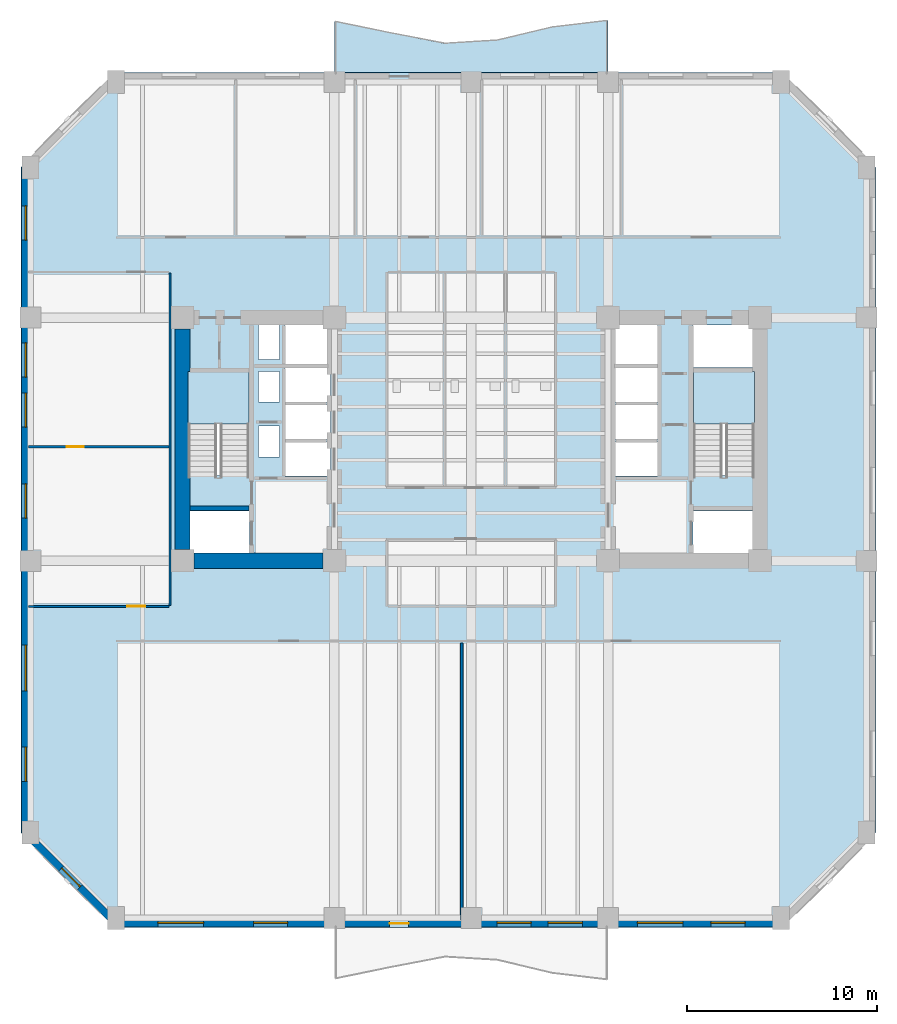
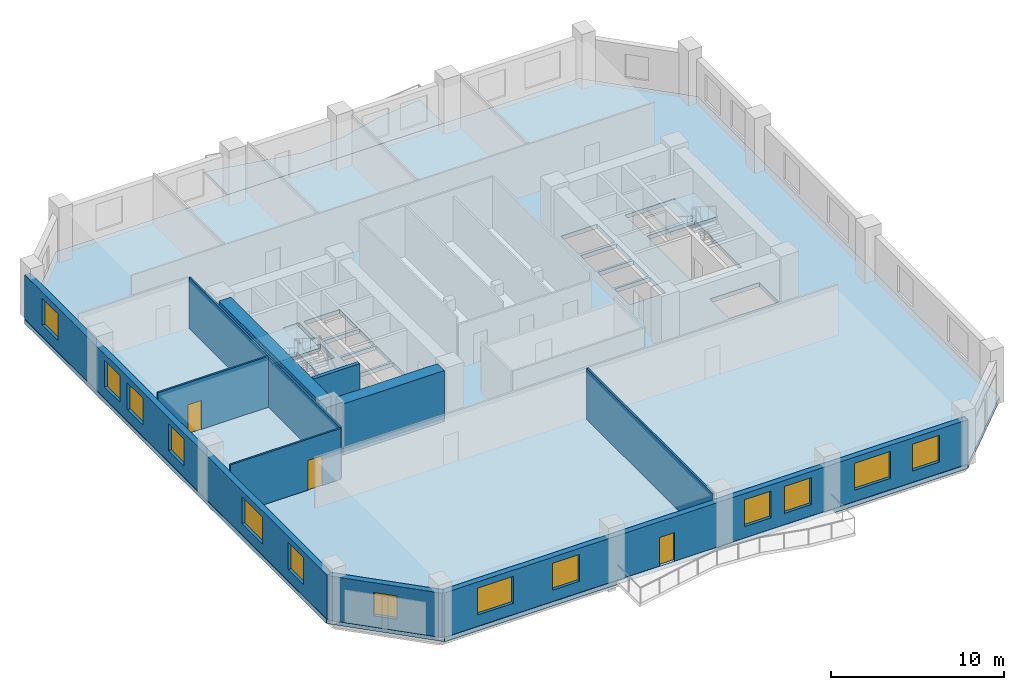
# One storey, part 2 of 10: 13 windows, 10 walls, 4 slabs, 3 doors, 16 openings, 2 elements without a shape of their own.
"""IFC4 building model written with IfcOpenShell, lengths in metres."""

import ifcopenshell
import ifcopenshell.guid

model = None  # the IFC model being written
_history = None  # IfcOwnerHistory: only IFC2X3 demands one
_inside = {}  # id of a spatial element -> (the spatial element, [elements in it])
_under = {}  # id of a project, library or spatial element -> (it, [spatial elements below it])
_declared = {}  # id of a project -> (the project, [libraries it declares])
_typed = {}  # id of a type object -> (the type object, [elements of that type])
_made_of = {}  # id of a material, layer set ... -> (it, [elements and type objects made of it])


def new_model(schema):
    """Start an empty IFC model of exactly this schema.

    Asked for "IFC4X3", IfcOpenShell would pick the latest addendum, in which some entities
    have other attributes; the version numbers below select the first issue.
    IFC2X3 requires an IfcOwnerHistory on every rooted entity: one is made here for all.
    """
    global model, _history
    if schema == "IFC4X3":
        model = ifcopenshell.file(schema_version=(4, 3, 0, 0))
    else:
        model = ifcopenshell.file(schema=schema)
    _inside.clear()
    _under.clear()
    _declared.clear()
    _typed.clear()
    _made_of.clear()
    _history = None
    if model.schema == "IFC2X3":
        org = make("IfcOrganization", Name="unknown")
        user = make(
            "IfcPersonAndOrganization",
            ThePerson=make("IfcPerson", FamilyName="unknown"),
            TheOrganization=org,
        )
        app = make(
            "IfcApplication",
            ApplicationDeveloper=org,
            Version="unknown",
            ApplicationFullName="unknown",
            ApplicationIdentifier="unknown",
        )
        _history = make(
            "IfcOwnerHistory",
            OwningUser=user,
            OwningApplication=app,
            ChangeAction="ADDED",
            CreationDate=0,
        )
    return model


def make(cls, **values):
    """One entity of the class cls with the attributes given. An attribute that is None is left unset."""
    return model.create_entity(
        cls, **{name: value for name, value in values.items() if value is not None}
    )


def rooted(cls, **values):
    """An entity with a GlobalId (a new one), such as an element, a storey or a relation."""
    return make(cls, GlobalId=ifcopenshell.guid.new(), OwnerHistory=_history, **values)


def si_unit(unit_type, name, prefix=None):
    """IfcSIUnit, for example si_unit("LENGTHUNIT", "METRE", prefix="MILLI")."""
    return make("IfcSIUnit", UnitType=unit_type, Prefix=prefix, Name=name)


def assignment(units):
    """IfcUnitAssignment: the units of a project."""
    return None if units is None else make("IfcUnitAssignment", Units=units)


def point(xyz):
    """IfcCartesianPoint."""
    return None if xyz is None else make("IfcCartesianPoint", Coordinates=xyz)


def direction(xyz):
    """IfcDirection."""
    return None if xyz is None else make("IfcDirection", DirectionRatios=xyz)


def frame(location, z_axis=None, x_axis=None):
    """IfcAxis2Placement3D, a coordinate frame: its origin and axes. An axis left out is left unset."""
    return make(
        "IfcAxis2Placement3D",
        Location=point(location),
        Axis=direction(z_axis),
        RefDirection=direction(x_axis),
    )


def frame_2d(location, x_axis=None):
    """IfcAxis2Placement2D, a coordinate frame in the plane: its origin and x axis."""
    return make(
        "IfcAxis2Placement2D", Location=point(location), RefDirection=direction(x_axis)
    )


def origin():
    """The frame at (0, 0, 0) with its axes left unset."""
    return frame((0.0, 0.0, 0.0))


def place(relative_to, where):
    """IfcLocalPlacement: puts the frame where relative to a parent placement (None: the world)."""
    return make(
        "IfcLocalPlacement", PlacementRelTo=relative_to, RelativePlacement=where
    )


def context(
    kind, dimensions, precision=None, world=None, true_north=None, identifier=None
):
    """IfcGeometricRepresentationContext, for example the 3D "Model" context."""
    return make(
        "IfcGeometricRepresentationContext",
        ContextIdentifier=identifier,
        ContextType=kind,
        CoordinateSpaceDimension=dimensions,
        Precision=precision,
        WorldCoordinateSystem=world,
        TrueNorth=true_north,
    )


def subcontext(parent, identifier, kind, view, scale=None):
    """IfcGeometricRepresentationSubContext, for example "Body" below "Model"."""
    return make(
        "IfcGeometricRepresentationSubContext",
        ContextIdentifier=identifier,
        ContextType=kind,
        ParentContext=parent,
        TargetScale=scale,
        TargetView=view,
    )


def project(units=None, contexts=None):
    """IfcProject with its units and contexts."""
    return rooted(
        "IfcProject",
        Name="project",
        RepresentationContexts=contexts,
        UnitsInContext=assignment(units),
    )


def spatial(cls, under=None, at=None, **own):
    """A site, building, storey or space (cls), placed at a placement, below another one or the project."""
    s = rooted(cls, ObjectPlacement=at, **own)
    if under is not None:
        _under.setdefault(under.id(), (under, []))[1].append(s)
    return s


def polyline(points):
    """IfcPolyline through the points."""
    return make("IfcPolyline", Points=[point(p) for p in points])


def profile(cls, at=None, kind="AREA", **sizes):
    """A parametric profile (cls). Its sizes go by their IFC names, for example OverallWidth=200.0."""
    return make(cls, ProfileType=kind, Position=at, **sizes)


def rectangle(**sizes):
    """IfcRectangleProfileDef."""
    return profile("IfcRectangleProfileDef", **sizes)


def outline(outer, holes=None, kind="AREA"):
    """IfcArbitraryClosedProfileDef: a profile drawn as a closed curve; with holes, ...WithVoids."""
    if holes is None:
        return make("IfcArbitraryClosedProfileDef", ProfileType=kind, OuterCurve=outer)
    return make(
        "IfcArbitraryProfileDefWithVoids",
        ProfileType=kind,
        OuterCurve=outer,
        InnerCurves=holes,
    )


def extrude(swept, where, along, depth):
    """IfcExtrudedAreaSolid: the profile swept, set in the frame where, extruded along a direction by depth."""
    return make(
        "IfcExtrudedAreaSolid",
        SweptArea=swept,
        Position=where,
        ExtrudedDirection=direction(along),
        Depth=depth,
    )


def shape(context_of_items, identifier, shape_type, items):
    """IfcShapeRepresentation: the items that make up one representation, for example the "Body"."""
    return make(
        "IfcShapeRepresentation",
        ContextOfItems=context_of_items,
        RepresentationIdentifier=identifier,
        RepresentationType=shape_type,
        Items=items,
    )


def material(Name=None, Category=None):
    """IfcMaterial."""
    return make("IfcMaterial", Name=Name, Category=Category)


def layer(
    of_material, thickness, ventilated=None, Name=None, Category=None, Priority=None
):
    """IfcMaterialLayer: one layer of a wall or slab, of a material (None: an air gap)."""
    return make(
        "IfcMaterialLayer",
        Material=of_material,
        LayerThickness=thickness,
        IsVentilated=ventilated,
        Name=Name,
        Category=Category,
        Priority=Priority,
    )


def layer_set(layers, Name=None):
    """IfcMaterialLayerSet."""
    return make("IfcMaterialLayerSet", MaterialLayers=layers, LayerSetName=Name)


def made_of(thing, what):
    """Note that an element or type object is made of a material, layer set ...; save() writes the relation."""
    if what is not None:
        _made_of.setdefault(what.id(), (what, []))[1].append(thing)
    return thing


def type_object(cls, material=None, **own):
    """A type object (cls), such as IfcWallType, which elements share."""
    return made_of(rooted(cls, **own), material)


def element(
    cls,
    number,
    at=None,
    inside=None,
    cuts=None,
    type_object=None,
    material=None,
    context=None,
    identifier="Body",
    shape_type=None,
    held_by="IfcProductDefinitionShape",
    body=None,
    shapes=None,
    **own,
):
    """One element of the class cls, such as IfcWall. Its Tag is "e" and its number.

    at: its placement. inside: the storey or other place that contains it. cuts: it is an
    opening in that element (IfcRelVoidsElement). A single representation is given by context,
    identifier, shape_type and body (its items); several are given by shapes. held_by: the class
    of the entity that holds the representations. save() writes the other relations.
    """
    e = rooted(cls, Tag="e%d" % number, ObjectPlacement=at, **own)
    if body is not None:
        shapes = [shape(context, identifier, shape_type, body)]
    if shapes is not None:
        e.Representation = make(held_by, Representations=shapes)
    if inside is not None:
        _inside.setdefault(inside.id(), (inside, []))[1].append(e)
    if cuts is not None:
        rooted(
            "IfcRelVoidsElement", RelatingBuildingElement=cuts, RelatedOpeningElement=e
        )
    if type_object is not None:
        _typed.setdefault(type_object.id(), (type_object, []))[1].append(e)
    return made_of(e, material)


def fill(opening, filler):
    """IfcRelFillsElement: the door or window that sits in an opening."""
    return rooted(
        "IfcRelFillsElement",
        RelatingOpeningElement=opening,
        RelatedBuildingElement=filler,
    )


def aggregate(whole, parts):
    """IfcRelAggregates: a whole, such as a stair, and the parts it consists of."""
    return rooted("IfcRelAggregates", RelatingObject=whole, RelatedObjects=parts)


def save(model, path):
    """Write the relations noted so far, then the file.

    IfcRelAggregates (storeys below a building ...), IfcRelContainedInSpatialStructure (elements
    in a storey), IfcRelDefinesByType, IfcRelAssociatesMaterial and IfcRelDeclares: one each for
    every whole, place, type object, material and project.
    """
    for whole, parts in _under.values():
        aggregate(whole, parts)
    for where, things in _inside.values():
        rooted(
            "IfcRelContainedInSpatialStructure",
            RelatedElements=things,
            RelatingStructure=where,
        )
    for kind, things in _typed.values():
        rooted("IfcRelDefinesByType", RelatedObjects=things, RelatingType=kind)
    for what, things in _made_of.values():
        rooted("IfcRelAssociatesMaterial", RelatedObjects=things, RelatingMaterial=what)
    for by, libraries in _declared.values():
        rooted("IfcRelDeclares", RelatingContext=by, RelatedDefinitions=libraries)
    model.write(path)


model = new_model("IFC4")

# Units and contexts
model_context = context("Model", 3, precision=1e-05, world=origin(), true_north=direction((0.0, 1.0)))
body_context = subcontext(model_context, "Body", "Model", "MODEL_VIEW")
ifc_project = project(units=[si_unit("LENGTHUNIT", "METRE"), si_unit("AREAUNIT", "SQUARE_METRE"), si_unit("VOLUMEUNIT", "CUBIC_METRE"), si_unit("PLANEANGLEUNIT", "RADIAN"), si_unit("MASSUNIT", "GRAM", prefix="KILO")], contexts=[model_context])

# Site, building, storey
site_placement = place(None, origin())
site = spatial("IfcSite", under=ifc_project, at=site_placement, CompositionType="ELEMENT")
building_placement = place(site_placement, origin())
building = spatial("IfcBuilding", under=site, at=building_placement, Name="Kranthara Brick Stack", CompositionType="ELEMENT")
storey_placement = place(building_placement, frame((0.0, 0.0, 32.10009765625)))
storey = spatial("IfcBuildingStorey", under=building, at=storey_placement, Name="L07", CompositionType="ELEMENT", Elevation=32.10009765625)

# Slab
ifc_material_1 = material(Name="Concrete C45/55", Category="concrete")
ifc_layer_1 = layer(ifc_material_1, 0.219970703125)
ifc_layer_set_1 = layer_set([ifc_layer_1], Name="Concrete C45/55")
slab_type_1 = type_object("IfcSlabType", Name="SLB-BALC-220", PredefinedType="FLOOR", material=ifc_layer_set_1)
slab_1_placement = place(storey_placement, frame((0.0, 0.0, -0.22021484375)))
element("IfcSlab", 1, at=slab_1_placement, inside=storey, type_object=slab_type_1, Name="L07 North Rippling Balcony Slab", PredefinedType="FLOOR", context=body_context, shape_type="SweptSolid", body=[
    extrude(outline(polyline([(35.199951171875, 46.5), (20.800048828125, 46.5), (20.800048828125, 49.196044921875), (23.679931640625, 48.600830078125), (26.56005859375, 48.0361328125), (29.43994140625, 48.2119140625), (32.320068359375, 48.9072265625), (35.199951171875, 49.24755859375), (35.199951171875, 46.5)])), origin(), (0.0, 0.0, 1.0), 0.22021484375),
])

# Stair, slab
ifc_material_2 = material(Name="Concrete C45/55", Category="concrete")
stair_type = type_object("IfcStairType", Name="ST-CORE-22R", PredefinedType="HALF_TURN_STAIR", material=ifc_material_2)
stair_1_placement = place(storey_placement, origin())
stair_1 = element("IfcStair", 2, at=stair_1_placement, inside=storey, type_object=stair_type, Name="L07 West Core Protected Exit Stair ST01", PredefinedType="HALF_TURN_STAIR")
ifc_material_3 = material(Name="Concrete C45/55", Category="concrete")
ifc_layer_2 = layer(ifc_material_3, 0.199951171875)
ifc_layer_set_2 = layer_set([ifc_layer_2], Name="Concrete C45/55")
slab_type_2 = type_object("IfcSlabType", Name="SLB-LANDING-200", PredefinedType="LANDING", material=ifc_layer_set_2)
slab_2_placement = place(storey_placement, frame((0.0, 0.0, 1.75)))
slab_2 = element("IfcSlab", 3, at=slab_2_placement, type_object=slab_type_2, Name="ST01 landing 1", PredefinedType="LANDING", context=body_context, shape_type="SweptSolid", body=[
    extrude(outline(polyline([(16.300048828125, 28.0), (16.300048828125, 30.75), (13.10009765625, 30.75), (13.10009765625, 28.0), (16.300048828125, 28.0)])), origin(), (0.0, 0.0, 1.0), 0.199951171875),
])
aggregate(stair_1, [slab_2])

stair_2_placement = place(storey_placement, origin())
stair_2 = element("IfcStair", 4, at=stair_2_placement, inside=storey, type_object=stair_type, Name="L07 East Core Protected Exit Stair ST02", PredefinedType="HALF_TURN_STAIR")
slab_3_placement = place(storey_placement, frame((0.0, 0.0, 1.75)))
slab_3 = element("IfcSlab", 5, at=slab_3_placement, type_object=slab_type_2, Name="ST02 landing 1", PredefinedType="LANDING", context=body_context, shape_type="SweptSolid", body=[
    extrude(outline(polyline([(42.89990234375, 28.0), (42.89990234375, 30.75), (39.699951171875, 30.75), (39.699951171875, 28.0), (42.89990234375, 28.0)])), origin(), (0.0, 0.0, 1.0), 0.199951171875),
])
aggregate(stair_2, [slab_3])

# Slab
ifc_material_4 = material(Name="Post-tensioned concrete C45/55", Category="concrete")
ifc_layer_3 = layer(ifc_material_4, 0.300048828125)
ifc_layer_set_3 = layer_set([ifc_layer_3], Name="Post-tensioned concrete C45/55")
slab_type_3 = type_object("IfcSlabType", Name="SLB-TWR-300", PredefinedType="FLOOR", material=ifc_layer_set_3)
slab_4_placement = place(storey_placement, frame((0.0, 0.0, -0.300048828125)))
element("IfcSlab", 6, at=slab_4_placement, inside=storey, type_object=slab_type_3, Name="L07 Structural Floor Plate", PredefinedType="FLOOR", context=body_context, shape_type="SweptSolid", body=[
    extrude(outline(polyline([(9.300048828125, 1.5), (44.300048828125, 1.5), (49.300048828125, 6.5), (49.300048828125, 41.5), (44.300048828125, 46.5), (9.300048828125, 46.5), (4.300048828125, 41.5), (4.300048828125, 6.5), (9.300048828125, 1.5)]), holes=[polyline([(13.10009765625, 25.280029296875), (16.300048828125, 25.280029296875), (16.300048828125, 30.75), (13.10009765625, 30.75), (13.10009765625, 25.280029296875)]), polyline([(39.699951171875, 25.280029296875), (42.89990234375, 25.280029296875), (42.89990234375, 30.75), (39.699951171875, 30.75), (39.699951171875, 25.280029296875)]), polyline([(13.0, 21.179931640625), (16.320068359375, 21.179931640625), (16.320068359375, 23.419921875), (13.0, 23.419921875), (13.0, 21.179931640625)]), polyline([(39.679931640625, 21.179931640625), (43.0, 21.179931640625), (43.0, 23.419921875), (39.679931640625, 23.419921875), (39.679931640625, 21.179931640625)]), polyline([(39.679931640625, 30.97998046875), (43.0, 30.97998046875), (43.0, 33.219970703125), (39.679931640625, 33.219970703125), (39.679931640625, 30.97998046875)]), polyline([(18.199951171875, 25.25), (20.60009765625, 25.25), (20.60009765625, 27.050048828125), (18.199951171875, 27.050048828125), (18.199951171875, 25.25)]), polyline([(18.199951171875, 27.199951171875), (20.60009765625, 27.199951171875), (20.60009765625, 29.0), (18.199951171875, 29.0), (18.199951171875, 27.199951171875)]), polyline([(18.199951171875, 29.14990234375), (20.60009765625, 29.14990234375), (20.60009765625, 30.949951171875), (18.199951171875, 30.949951171875), (18.199951171875, 29.14990234375)]), polyline([(35.39990234375, 25.25), (37.800048828125, 25.25), (37.800048828125, 27.050048828125), (35.39990234375, 27.050048828125), (35.39990234375, 25.25)]), polyline([(35.39990234375, 27.199951171875), (37.800048828125, 27.199951171875), (37.800048828125, 29.0), (35.39990234375, 29.0), (35.39990234375, 27.199951171875)]), polyline([(35.39990234375, 29.14990234375), (37.800048828125, 29.14990234375), (37.800048828125, 30.949951171875), (35.39990234375, 30.949951171875), (35.39990234375, 29.14990234375)]), polyline([(18.199951171875, 31.14990234375), (20.60009765625, 31.14990234375), (20.60009765625, 33.219970703125), (18.199951171875, 33.219970703125), (18.199951171875, 31.14990234375)]), polyline([(35.39990234375, 31.14990234375), (37.800048828125, 31.14990234375), (37.800048828125, 33.219970703125), (35.39990234375, 33.219970703125), (35.39990234375, 31.14990234375)]), polyline([(16.800048828125, 26.25), (17.89990234375, 26.25), (17.89990234375, 27.89990234375), (16.800048828125, 27.89990234375), (16.800048828125, 26.25)]), polyline([(16.800048828125, 29.14990234375), (17.89990234375, 29.14990234375), (17.89990234375, 30.75), (16.800048828125, 30.75), (16.800048828125, 29.14990234375)]), polyline([(16.800048828125, 31.39990234375), (17.89990234375, 31.39990234375), (17.89990234375, 33.25), (16.800048828125, 33.25), (16.800048828125, 31.39990234375)])]), origin(), (0.0, 0.0, 1.0), 0.300048828125),
])

# Wall, openings, door, windows
ifc_material_5 = material(Name="Kiln-fired clay brick masonry M15", Category="masonry")
ifc_layer_4 = layer(ifc_material_5, 0.3798828125)
ifc_layer_set_4 = layer_set([ifc_layer_4], Name="Kiln-fired clay brick masonry M15")
wall_type_1 = type_object("IfcWallType", Name="WL-BRK-PIER-380", PredefinedType="STANDARD", material=ifc_layer_set_4)
wall_1_placement = place(storey_placement, frame((44.300048828125, 1.7099609375, 0.0), z_axis=(0.0, 0.0, 1.0), x_axis=(-1.0, 0.0, 0.0)))
wall_1 = element("IfcWall", 7, at=wall_1_placement, inside=storey, type_object=wall_type_1, Name="L07 Exterior Brick Facade Wall SOUTH 1", PredefinedType="STANDARD", context=body_context, shape_type="SweptSolid", body=[
    extrude(rectangle(XDim=35.0, YDim=0.3798828125, at=frame_2d((17.5, 0.0))), origin(), (0.0, 0.0, 1.0), 3.135009765625),
])
opening_1_placement = place(wall_1_placement, frame((19.60009765625, 0.0, 0.0)))
opening_1 = element("IfcOpeningElement", 8, at=opening_1_placement, cuts=wall_1, Name="Opening D03", PredefinedType="OPENING", context=body_context, shape_type="SweptSolid", body=[
    extrude(rectangle(XDim=1.0, YDim=2.02001953125, at=frame_2d((0.5, 1.010009765625))), frame((0.0, 0.199951171875, 0.0), z_axis=(0.0, -1.0, 0.0), x_axis=(1.0, 0.0, 0.0)), (0.0, 0.0, 1.0), 0.39990234375),
])
opening_2_placement = place(wall_1_placement, frame((1.886962890625, 0.0, 0.800048828125)))
opening_2 = element("IfcOpeningElement", 9, at=opening_2_placement, cuts=wall_1, Name="Opening WN01", PredefinedType="OPENING", context=body_context, shape_type="SweptSolid", body=[
    extrude(rectangle(XDim=1.800048828125, YDim=1.89990234375, at=frame_2d((0.89990234375, 0.949951171875))), frame((0.0, 0.199951171875, 0.0), z_axis=(0.0, -1.0, 0.0), x_axis=(1.0, 0.0, 0.0)), (0.0, 0.0, 1.0), 0.39990234375),
])
opening_3_placement = place(wall_1_placement, frame((5.1630859375, 0.0, 0.800048828125)))
opening_3 = element("IfcOpeningElement", 10, at=opening_3_placement, cuts=wall_1, Name="Opening WN02", PredefinedType="OPENING", context=body_context, shape_type="SweptSolid", body=[
    extrude(rectangle(XDim=2.39990234375, YDim=1.89990234375, at=frame_2d((1.199951171875, 0.949951171875))), frame((0.0, 0.199951171875, 0.0), z_axis=(0.0, -1.0, 0.0), x_axis=(1.0, 0.0, 0.0)), (0.0, 0.0, 1.0), 0.39990234375),
])
opening_4_placement = place(wall_1_placement, frame((10.4560546875, 0.0, 0.800048828125)))
opening_4 = element("IfcOpeningElement", 11, at=opening_4_placement, cuts=wall_1, Name="Opening WN01", PredefinedType="OPENING", context=body_context, shape_type="SweptSolid", body=[
    extrude(rectangle(XDim=1.800048828125, YDim=1.89990234375, at=frame_2d((0.89990234375, 0.949951171875))), frame((0.0, 0.199951171875, 0.0), z_axis=(0.0, -1.0, 0.0), x_axis=(1.0, 0.0, 0.0)), (0.0, 0.0, 1.0), 0.39990234375),
])
opening_5_placement = place(wall_1_placement, frame((13.14404296875, 0.0, 0.800048828125)))
opening_5 = element("IfcOpeningElement", 12, at=opening_5_placement, cuts=wall_1, Name="Opening WN01", PredefinedType="OPENING", context=body_context, shape_type="SweptSolid", body=[
    extrude(rectangle(XDim=1.800048828125, YDim=1.89990234375, at=frame_2d((0.89990234375, 0.949951171875))), frame((0.0, 0.199951171875, 0.0), z_axis=(0.0, -1.0, 0.0), x_axis=(1.0, 0.0, 0.0)), (0.0, 0.0, 1.0), 0.39990234375),
])
opening_6_placement = place(wall_1_placement, frame((25.9609375, 0.0, 0.800048828125)))
opening_6 = element("IfcOpeningElement", 13, at=opening_6_placement, cuts=wall_1, Name="Opening WN01", PredefinedType="OPENING", context=body_context, shape_type="SweptSolid", body=[
    extrude(rectangle(XDim=1.800048828125, YDim=1.89990234375, at=frame_2d((0.89990234375, 0.949951171875))), frame((0.0, 0.199951171875, 0.0), z_axis=(0.0, -1.0, 0.0), x_axis=(1.0, 0.0, 0.0)), (0.0, 0.0, 1.0), 0.39990234375),
])
opening_7_placement = place(wall_1_placement, frame((30.388916015625, 0.0, 0.800048828125)))
opening_7 = element("IfcOpeningElement", 14, at=opening_7_placement, cuts=wall_1, Name="Opening WN02", PredefinedType="OPENING", context=body_context, shape_type="SweptSolid", body=[
    extrude(rectangle(XDim=2.39990234375, YDim=1.89990234375, at=frame_2d((1.199951171875, 0.949951171875))), frame((0.0, 0.199951171875, 0.0), z_axis=(0.0, -1.0, 0.0), x_axis=(1.0, 0.0, 0.0)), (0.0, 0.0, 1.0), 0.39990234375),
])
ifc_material_6 = material(Name="Bronze anodised aluminium and laminated glass", Category="aluminium")
door_type_1 = type_object("IfcDoorType", Name="DR-BALC-1000", OperationType="NOTDEFINED", PredefinedType="DOOR", material=ifc_material_6)
door_1_placement = place(opening_1_placement, origin())
door_1 = element("IfcDoor", 15, at=door_1_placement, inside=storey, type_object=door_type_1, Name="L07 South Balcony Terrace Door", OperationType="SINGLE_SWING_LEFT", OverallHeight=2.02001953125, OverallWidth=1.0, PredefinedType="DOOR", context=body_context, shape_type="SweptSolid", body=[
    extrude(rectangle(XDim=1.0, YDim=2.02001953125, at=frame_2d((0.5, 1.010009765625))), frame((0.0, 0.02490234375, 0.0), z_axis=(0.0, -1.0, 0.0), x_axis=(1.0, 0.0, 0.0)), (0.0, 0.0, 1.0), 0.050048828125),
])
fill(opening_1, door_1)
ifc_material_7 = material(Name="Double-glazed low-E solar control glass", Category="glass")
window_type_1 = type_object("IfcWindowType", Name="WN-OFF-1800x2000", PartitioningType="SINGLE_PANEL", PredefinedType="WINDOW", material=ifc_material_7)
window_1_placement = place(opening_2_placement, origin())
window_1 = element("IfcWindow", 16, at=window_1_placement, inside=storey, type_object=window_type_1, Name="L07 South Deep-Set Brick Window 01", OverallHeight=1.89990234375, OverallWidth=1.800048828125, PartitioningType="SINGLE_PANEL", PredefinedType="WINDOW", context=body_context, shape_type="SweptSolid", body=[
    extrude(rectangle(XDim=1.800048828125, YDim=1.89990234375, at=frame_2d((0.89990234375, 0.949951171875))), frame((0.0, -0.010009765625, 0.0), z_axis=(0.0, -1.0, 0.0), x_axis=(1.0, 0.0, 0.0)), (0.0, 0.0, 1.0), 0.06005859375),
])
fill(opening_2, window_1)
window_2_placement = place(opening_4_placement, origin())
window_2 = element("IfcWindow", 17, at=window_2_placement, inside=storey, type_object=window_type_1, Name="L07 South Deep-Set Brick Window 03", OverallHeight=1.89990234375, OverallWidth=1.800048828125, PartitioningType="SINGLE_PANEL", PredefinedType="WINDOW", context=body_context, shape_type="SweptSolid", body=[
    extrude(rectangle(XDim=1.800048828125, YDim=1.89990234375, at=frame_2d((0.89990234375, 0.949951171875))), frame((0.0, -0.010009765625, 0.0), z_axis=(0.0, -1.0, 0.0), x_axis=(1.0, 0.0, 0.0)), (0.0, 0.0, 1.0), 0.06005859375),
])
fill(opening_4, window_2)
window_3_placement = place(opening_5_placement, origin())
window_3 = element("IfcWindow", 18, at=window_3_placement, inside=storey, type_object=window_type_1, Name="L07 South Deep-Set Brick Window 04", OverallHeight=1.89990234375, OverallWidth=1.800048828125, PartitioningType="SINGLE_PANEL", PredefinedType="WINDOW", context=body_context, shape_type="SweptSolid", body=[
    extrude(rectangle(XDim=1.800048828125, YDim=1.89990234375, at=frame_2d((0.89990234375, 0.949951171875))), frame((0.0, -0.010009765625, 0.0), z_axis=(0.0, -1.0, 0.0), x_axis=(1.0, 0.0, 0.0)), (0.0, 0.0, 1.0), 0.06005859375),
])
fill(opening_5, window_3)
window_4_placement = place(opening_6_placement, origin())
window_4 = element("IfcWindow", 19, at=window_4_placement, inside=storey, type_object=window_type_1, Name="L07 South Deep-Set Brick Window 05", OverallHeight=1.89990234375, OverallWidth=1.800048828125, PartitioningType="SINGLE_PANEL", PredefinedType="WINDOW", context=body_context, shape_type="SweptSolid", body=[
    extrude(rectangle(XDim=1.800048828125, YDim=1.89990234375, at=frame_2d((0.89990234375, 0.949951171875))), frame((0.0, -0.010009765625, 0.0), z_axis=(0.0, -1.0, 0.0), x_axis=(1.0, 0.0, 0.0)), (0.0, 0.0, 1.0), 0.06005859375),
])
fill(opening_6, window_4)
ifc_material_8 = material(Name="Double-glazed low-E solar control glass", Category="glass")
window_type_2 = type_object("IfcWindowType", Name="WN-OFF-2400x2000", PartitioningType="DOUBLE_PANEL_VERTICAL", PredefinedType="WINDOW", material=ifc_material_8)
window_5_placement = place(opening_3_placement, origin())
window_5 = element("IfcWindow", 20, at=window_5_placement, inside=storey, type_object=window_type_2, Name="L07 South Deep-Set Brick Window 02", OverallHeight=1.89990234375, OverallWidth=2.39990234375, PartitioningType="SINGLE_PANEL", PredefinedType="WINDOW", context=body_context, shape_type="SweptSolid", body=[
    extrude(rectangle(XDim=2.39990234375, YDim=1.89990234375, at=frame_2d((1.199951171875, 0.949951171875))), frame((0.0, -0.010009765625, 0.0), z_axis=(0.0, -1.0, 0.0), x_axis=(1.0, 0.0, 0.0)), (0.0, 0.0, 1.0), 0.06005859375),
])
fill(opening_3, window_5)
window_6_placement = place(opening_7_placement, origin())
window_6 = element("IfcWindow", 21, at=window_6_placement, inside=storey, type_object=window_type_2, Name="L07 South Deep-Set Brick Window 06", OverallHeight=1.89990234375, OverallWidth=2.39990234375, PartitioningType="SINGLE_PANEL", PredefinedType="WINDOW", context=body_context, shape_type="SweptSolid", body=[
    extrude(rectangle(XDim=2.39990234375, YDim=1.89990234375, at=frame_2d((1.199951171875, 0.949951171875))), frame((0.0, -0.010009765625, 0.0), z_axis=(0.0, -1.0, 0.0), x_axis=(1.0, 0.0, 0.0)), (0.0, 0.0, 1.0), 0.06005859375),
])
fill(opening_7, window_6)

# Wall, opening, window
wall_2_placement = place(storey_placement, frame((9.300048828125, 1.7099609375, 0.0), z_axis=(0.0, 0.0, 1.0), x_axis=(-0.707106781187, 0.707106781187, 0.0)))
wall_2 = element("IfcWall", 22, at=wall_2_placement, inside=storey, type_object=wall_type_1, Name="L07 Exterior Brick Facade Wall SW 1", PredefinedType="STANDARD", context=body_context, shape_type="SweptSolid", body=[
    extrude(rectangle(XDim=6.774169921875, YDim=0.3798828125, at=frame_2d((3.38720703125, 0.0))), origin(), (0.0, 0.0, 1.0), 3.135009765625),
])
opening_8_placement = place(wall_2_placement, frame((2.68701171875, 0.0, 0.800048828125)))
opening_8 = element("IfcOpeningElement", 23, at=opening_8_placement, cuts=wall_2, Name="Opening WN10", PredefinedType="OPENING", context=body_context, shape_type="SweptSolid", body=[
    extrude(rectangle(XDim=1.39990234375, YDim=1.64990234375, at=frame_2d((0.699951171875, 0.824951171875))), frame((0.0, 0.199951171875, 0.0), z_axis=(0.0, -1.0, 0.0), x_axis=(1.0, 0.0, 0.0)), (0.0, 0.0, 1.0), 0.39990234375),
])
ifc_material_9 = material(Name="Double-glazed low-E solar control glass", Category="glass")
window_type_3 = type_object("IfcWindowType", Name="WN-CHM-1400x1750", PartitioningType="SINGLE_PANEL", PredefinedType="WINDOW", material=ifc_material_9)
window_7_placement = place(opening_8_placement, origin())
window_7 = element("IfcWindow", 24, at=window_7_placement, inside=storey, type_object=window_type_3, Name="L07 SW Chamfer Corner Window", OverallHeight=1.64990234375, OverallWidth=1.39990234375, PartitioningType="SINGLE_PANEL", PredefinedType="WINDOW", context=body_context, shape_type="SweptSolid", body=[
    extrude(rectangle(XDim=1.39990234375, YDim=1.64990234375, at=frame_2d((0.699951171875, 0.824951171875))), frame((0.0, -0.010009765625, 0.0), z_axis=(0.0, -1.0, 0.0), x_axis=(1.0, 0.0, 0.0)), (0.0, 0.0, 1.0), 0.06005859375),
])
fill(opening_8, window_7)

# Wall, openings, windows
wall_3_placement = place(storey_placement, frame((4.510009765625, 6.5, 0.0), z_axis=(0.0, 0.0, 1.0), x_axis=(0.0, 1.0, 0.0)))
wall_3 = element("IfcWall", 25, at=wall_3_placement, inside=storey, type_object=wall_type_1, Name="L07 Exterior Brick Facade Wall WEST 1", PredefinedType="STANDARD", context=body_context, shape_type="SweptSolid", body=[
    extrude(rectangle(XDim=35.0, YDim=0.3798828125, at=frame_2d((17.5, 0.0))), origin(), (0.0, 0.0, 1.0), 3.135009765625),
])
opening_9_placement = place(wall_3_placement, frame((2.693115234375, 0.0, 0.800048828125)))
opening_9 = element("IfcOpeningElement", 26, at=opening_9_placement, cuts=wall_3, Name="Opening WN01", PredefinedType="OPENING", context=body_context, shape_type="SweptSolid", body=[
    extrude(rectangle(XDim=1.800048828125, YDim=1.89990234375, at=frame_2d((0.89990234375, 0.949951171875))), frame((0.0, 0.199951171875, 0.0), z_axis=(0.0, -1.0, 0.0), x_axis=(1.0, 0.0, 0.0)), (0.0, 0.0, 1.0), 0.39990234375),
])
opening_10_placement = place(wall_3_placement, frame((7.45703125, 0.0, 0.800048828125)))
opening_10 = element("IfcOpeningElement", 27, at=opening_10_placement, cuts=wall_3, Name="Opening WN02", PredefinedType="OPENING", context=body_context, shape_type="SweptSolid", body=[
    extrude(rectangle(XDim=2.39990234375, YDim=1.89990234375, at=frame_2d((1.199951171875, 0.949951171875))), frame((0.0, 0.199951171875, 0.0), z_axis=(0.0, -1.0, 0.0), x_axis=(1.0, 0.0, 0.0)), (0.0, 0.0, 1.0), 0.39990234375),
])
opening_11_placement = place(wall_3_placement, frame((16.550048828125, 0.0, 0.800048828125)))
opening_11 = element("IfcOpeningElement", 28, at=opening_11_placement, cuts=wall_3, Name="Opening WN01", PredefinedType="OPENING", context=body_context, shape_type="SweptSolid", body=[
    extrude(rectangle(XDim=1.800048828125, YDim=1.89990234375, at=frame_2d((0.89990234375, 0.949951171875))), frame((0.0, 0.199951171875, 0.0), z_axis=(0.0, -1.0, 0.0), x_axis=(1.0, 0.0, 0.0)), (0.0, 0.0, 1.0), 0.39990234375),
])
opening_12_placement = place(wall_3_placement, frame((21.330078125, 0.0, 0.800048828125)))
opening_12 = element("IfcOpeningElement", 29, at=opening_12_placement, cuts=wall_3, Name="Opening WN01", PredefinedType="OPENING", context=body_context, shape_type="SweptSolid", body=[
    extrude(rectangle(XDim=1.800048828125, YDim=1.89990234375, at=frame_2d((0.89990234375, 0.949951171875))), frame((0.0, 0.199951171875, 0.0), z_axis=(0.0, -1.0, 0.0), x_axis=(1.0, 0.0, 0.0)), (0.0, 0.0, 1.0), 0.39990234375),
])
opening_13_placement = place(wall_3_placement, frame((23.969970703125, 0.0, 0.800048828125)))
opening_13 = element("IfcOpeningElement", 30, at=opening_13_placement, cuts=wall_3, Name="Opening WN01", PredefinedType="OPENING", context=body_context, shape_type="SweptSolid", body=[
    extrude(rectangle(XDim=1.800048828125, YDim=1.89990234375, at=frame_2d((0.89990234375, 0.949951171875))), frame((0.0, 0.199951171875, 0.0), z_axis=(0.0, -1.0, 0.0), x_axis=(1.0, 0.0, 0.0)), (0.0, 0.0, 1.0), 0.39990234375),
])
opening_14_placement = place(wall_3_placement, frame((31.175048828125, 0.0, 0.800048828125)))
opening_14 = element("IfcOpeningElement", 31, at=opening_14_placement, cuts=wall_3, Name="Opening WN01", PredefinedType="OPENING", context=body_context, shape_type="SweptSolid", body=[
    extrude(rectangle(XDim=1.800048828125, YDim=1.89990234375, at=frame_2d((0.89990234375, 0.949951171875))), frame((0.0, 0.199951171875, 0.0), z_axis=(0.0, -1.0, 0.0), x_axis=(1.0, 0.0, 0.0)), (0.0, 0.0, 1.0), 0.39990234375),
])
window_8_placement = place(opening_9_placement, origin())
window_8 = element("IfcWindow", 32, at=window_8_placement, inside=storey, type_object=window_type_1, Name="L07 West Deep-Set Brick Window 01", OverallHeight=1.89990234375, OverallWidth=1.800048828125, PartitioningType="SINGLE_PANEL", PredefinedType="WINDOW", context=body_context, shape_type="SweptSolid", body=[
    extrude(rectangle(XDim=1.800048828125, YDim=1.89990234375, at=frame_2d((0.89990234375, 0.949951171875))), frame((0.0, -0.010009765625, 0.0), z_axis=(0.0, -1.0, 0.0), x_axis=(1.0, 0.0, 0.0)), (0.0, 0.0, 1.0), 0.06005859375),
])
fill(opening_9, window_8)
window_9_placement = place(opening_11_placement, origin())
window_9 = element("IfcWindow", 33, at=window_9_placement, inside=storey, type_object=window_type_1, Name="L07 West Deep-Set Brick Window 03", OverallHeight=1.89990234375, OverallWidth=1.800048828125, PartitioningType="SINGLE_PANEL", PredefinedType="WINDOW", context=body_context, shape_type="SweptSolid", body=[
    extrude(rectangle(XDim=1.800048828125, YDim=1.89990234375, at=frame_2d((0.89990234375, 0.949951171875))), frame((0.0, -0.010009765625, 0.0), z_axis=(0.0, -1.0, 0.0), x_axis=(1.0, 0.0, 0.0)), (0.0, 0.0, 1.0), 0.06005859375),
])
fill(opening_11, window_9)
window_10_placement = place(opening_12_placement, origin())
window_10 = element("IfcWindow", 34, at=window_10_placement, inside=storey, type_object=window_type_1, Name="L07 West Deep-Set Brick Window 04", OverallHeight=1.89990234375, OverallWidth=1.800048828125, PartitioningType="SINGLE_PANEL", PredefinedType="WINDOW", context=body_context, shape_type="SweptSolid", body=[
    extrude(rectangle(XDim=1.800048828125, YDim=1.89990234375, at=frame_2d((0.89990234375, 0.949951171875))), frame((0.0, -0.010009765625, 0.0), z_axis=(0.0, -1.0, 0.0), x_axis=(1.0, 0.0, 0.0)), (0.0, 0.0, 1.0), 0.06005859375),
])
fill(opening_12, window_10)
window_11_placement = place(opening_13_placement, origin())
window_11 = element("IfcWindow", 35, at=window_11_placement, inside=storey, type_object=window_type_1, Name="L07 West Deep-Set Brick Window 05", OverallHeight=1.89990234375, OverallWidth=1.800048828125, PartitioningType="SINGLE_PANEL", PredefinedType="WINDOW", context=body_context, shape_type="SweptSolid", body=[
    extrude(rectangle(XDim=1.800048828125, YDim=1.89990234375, at=frame_2d((0.89990234375, 0.949951171875))), frame((0.0, -0.010009765625, 0.0), z_axis=(0.0, -1.0, 0.0), x_axis=(1.0, 0.0, 0.0)), (0.0, 0.0, 1.0), 0.06005859375),
])
fill(opening_13, window_11)
window_12_placement = place(opening_14_placement, origin())
window_12 = element("IfcWindow", 36, at=window_12_placement, inside=storey, type_object=window_type_1, Name="L07 West Deep-Set Brick Window 06", OverallHeight=1.89990234375, OverallWidth=1.800048828125, PartitioningType="SINGLE_PANEL", PredefinedType="WINDOW", context=body_context, shape_type="SweptSolid", body=[
    extrude(rectangle(XDim=1.800048828125, YDim=1.89990234375, at=frame_2d((0.89990234375, 0.949951171875))), frame((0.0, -0.010009765625, 0.0), z_axis=(0.0, -1.0, 0.0), x_axis=(1.0, 0.0, 0.0)), (0.0, 0.0, 1.0), 0.06005859375),
])
fill(opening_14, window_12)
window_13_placement = place(opening_10_placement, origin())
window_13 = element("IfcWindow", 37, at=window_13_placement, inside=storey, type_object=window_type_2, Name="L07 West Deep-Set Brick Window 02", OverallHeight=1.89990234375, OverallWidth=2.39990234375, PartitioningType="SINGLE_PANEL", PredefinedType="WINDOW", context=body_context, shape_type="SweptSolid", body=[
    extrude(rectangle(XDim=2.39990234375, YDim=1.89990234375, at=frame_2d((1.199951171875, 0.949951171875))), frame((0.0, -0.010009765625, 0.0), z_axis=(0.0, -1.0, 0.0), x_axis=(1.0, 0.0, 0.0)), (0.0, 0.0, 1.0), 0.06005859375),
])
fill(opening_10, window_13)

# Walls
ifc_material_10 = material(Name="Concrete C50/60", Category="concrete")
ifc_layer_5 = layer(ifc_material_10, 0.25)
ifc_layer_set_5 = layer_set([ifc_layer_5], Name="Concrete C50/60")
wall_type_2 = type_object("IfcWallType", Name="WL-CORE-250", PredefinedType="SHEAR", material=ifc_layer_set_5)
wall_4_placement = place(storey_placement, frame((13.2099609375, 23.570068359375, 0.0), z_axis=(0.0, 0.0, 1.0), x_axis=(1.0, 0.0, 0.0)))
element("IfcWall", 38, at=wall_4_placement, inside=storey, type_object=wall_type_2, Name="L07 West Stairwell Bearing Wall WFF", PredefinedType="SHEAR", context=body_context, shape_type="SweptSolid", body=[
    extrude(rectangle(XDim=3.10009765625, YDim=0.25, at=frame_2d((1.550048828125, 0.0))), origin(), (0.0, 0.0, 1.0), 3.599853515625),
])
ifc_material_11 = material(Name="Concrete C70/85", Category="concrete")
ifc_layer_6 = layer(ifc_material_11, 0.800048828125)
ifc_layer_set_6 = layer_set([ifc_layer_6], Name="Concrete C70/85")
wall_type_3 = type_object("IfcWallType", Name="WL-CORE-800", PredefinedType="SHEAR", material=ifc_layer_set_6)
wall_5_placement = place(storey_placement, frame((12.800048828125, 21.405029296875, 0.0), z_axis=(0.0, 0.0, 1.0), x_axis=(0.0, 1.0, 0.0)))
element("IfcWall", 39, at=wall_5_placement, inside=storey, type_object=wall_type_3, Name="L07 West Core Shear Wall West", PredefinedType="SHEAR", context=body_context, shape_type="SweptSolid", body=[
    extrude(rectangle(XDim=11.590087890625, YDim=0.800048828125, at=frame_2d((5.794921875, 0.0))), origin(), (0.0, 0.0, 1.0), 3.599853515625),
])
wall_6_placement = place(storey_placement, frame((13.405029296875, 20.800048828125, 0.0), z_axis=(0.0, 0.0, 1.0), x_axis=(1.0, 0.0, 0.0)))
element("IfcWall", 40, at=wall_6_placement, inside=storey, type_object=wall_type_3, Name="L07 West Core Shear Wall South", PredefinedType="SHEAR", context=body_context, shape_type="SweptSolid", body=[
    extrude(rectangle(XDim=6.7900390625, YDim=0.800048828125, at=frame_2d((3.39501953125, 0.0))), origin(), (0.0, 0.0, 1.0), 3.599853515625),
])
ifc_material_12 = material(Name="Acoustic gypsum plasterboard partition", Category="other")
ifc_layer_7 = layer(ifc_material_12, 0.1201171875)
ifc_layer_set_7 = layer_set([ifc_layer_7], Name="Acoustic gypsum plasterboard partition")
wall_type_4 = type_object("IfcWallType", Name="WL-PART-120", PredefinedType="PARTITIONING", material=ifc_layer_set_7)
wall_7_placement = place(storey_placement, frame((27.5, 1.905029296875, 0.0), z_axis=(0.0, 0.0, 1.0), x_axis=(0.0, 1.0, 0.0)))
element("IfcWall", 41, at=wall_7_placement, inside=storey, type_object=wall_type_4, Name="L07 Interior Partition 016", PredefinedType="PARTITIONING", context=body_context, shape_type="SweptSolid", body=[
    extrude(rectangle(XDim=14.574951171875, YDim=0.1201171875, at=frame_2d((7.28759765625, 0.0))), origin(), (0.0, 0.0, 1.0), 3.599853515625),
])
wall_8_placement = place(storey_placement, frame((12.14990234375, 18.449951171875, 0.0), z_axis=(0.0, 0.0, 1.0), x_axis=(0.0, 1.0, 0.0)))
element("IfcWall", 42, at=wall_8_placement, inside=storey, type_object=wall_type_4, Name="L07 Interior Partition 022", PredefinedType="PARTITIONING", context=body_context, shape_type="SweptSolid", body=[
    extrude(rectangle(XDim=17.5, YDim=0.1201171875, at=frame_2d((8.75, 0.0))), origin(), (0.0, 0.0, 1.0), 3.599853515625),
])

# Wall, opening, door
wall_9_placement = place(storey_placement, frame((4.705078125, 18.39990234375, 0.0), z_axis=(0.0, 0.0, 1.0), x_axis=(1.0, 0.0, 0.0)))
wall_9 = element("IfcWall", 43, at=wall_9_placement, inside=storey, type_object=wall_type_4, Name="L07 Interior Partition 023", PredefinedType="PARTITIONING", context=body_context, shape_type="SweptSolid", body=[
    extrude(rectangle(XDim=7.3798828125, YDim=0.1201171875, at=frame_2d((3.68994140625, 0.0))), origin(), (0.0, 0.0, 1.0), 3.599853515625),
])
opening_15_placement = place(wall_9_placement, frame((5.179931640625, 0.0, 0.0)))
opening_15 = element("IfcOpeningElement", 44, at=opening_15_placement, cuts=wall_9, Name="Opening D14", PredefinedType="OPENING", context=body_context, shape_type="SweptSolid", body=[
    extrude(rectangle(XDim=0.949951171875, YDim=2.10009765625, at=frame_2d((0.47509765625, 1.050048828125))), frame((0.0, 0.070068359375, 0.0), z_axis=(0.0, -1.0, 0.0), x_axis=(1.0, 0.0, 0.0)), (0.0, 0.0, 1.0), 0.14013671875),
])
ifc_material_13 = material(Name="Solid-core hardwood timber leaf in steel frame", Category="steel")
door_type_2 = type_object("IfcDoorType", Name="DR-INT-950", OperationType="NOTDEFINED", PredefinedType="DOOR", material=ifc_material_13)
door_2_placement = place(opening_15_placement, origin())
door_2 = element("IfcDoor", 45, at=door_2_placement, inside=storey, type_object=door_type_2, Name="L07 West South Office 17", OperationType="SINGLE_SWING_LEFT", OverallHeight=2.10009765625, OverallWidth=0.949951171875, PredefinedType="DOOR", context=body_context, shape_type="SweptSolid", body=[
    extrude(rectangle(XDim=0.949951171875, YDim=2.10009765625, at=frame_2d((0.47509765625, 1.050048828125))), frame((0.0, 0.02490234375, 0.0), z_axis=(0.0, -1.0, 0.0), x_axis=(1.0, 0.0, 0.0)), (0.0, 0.0, 1.0), 0.050048828125),
])
fill(opening_15, door_2)

wall_10_placement = place(storey_placement, frame((4.705078125, 26.800048828125, 0.0), z_axis=(0.0, 0.0, 1.0), x_axis=(1.0, 0.0, 0.0)))
wall_10 = element("IfcWall", 46, at=wall_10_placement, inside=storey, type_object=wall_type_4, Name="L07 Interior Partition 025", PredefinedType="PARTITIONING", context=body_context, shape_type="SweptSolid", body=[
    extrude(rectangle(XDim=7.3798828125, YDim=0.1201171875, at=frame_2d((3.68994140625, 0.0))), origin(), (0.0, 0.0, 1.0), 3.599853515625),
])
opening_16_placement = place(wall_10_placement, frame((2.0, 0.0, 0.0)))
opening_16 = element("IfcOpeningElement", 47, at=opening_16_placement, cuts=wall_10, Name="Opening D15", PredefinedType="OPENING", context=body_context, shape_type="SweptSolid", body=[
    extrude(rectangle(XDim=0.89990234375, YDim=2.050048828125, at=frame_2d((0.449951171875, 1.02490234375))), frame((0.0, 0.070068359375, 0.0), z_axis=(0.0, -1.0, 0.0), x_axis=(1.0, 0.0, 0.0)), (0.0, 0.0, 1.0), 0.14013671875),
])
ifc_material_14 = material(Name="Solid-core hardwood timber leaf in steel frame", Category="steel")
door_type_3 = type_object("IfcDoorType", Name="DR-INT-900", OperationType="NOTDEFINED", PredefinedType="DOOR", material=ifc_material_14)
door_3_placement = place(opening_16_placement, origin())
door_3 = element("IfcDoor", 48, at=door_3_placement, inside=storey, type_object=door_type_3, Name="L07 West Inner Suite Door 16", OperationType="SINGLE_SWING_RIGHT", OverallHeight=2.050048828125, OverallWidth=0.89990234375, PredefinedType="DOOR", context=body_context, shape_type="SweptSolid", body=[
    extrude(rectangle(XDim=0.89990234375, YDim=2.050048828125, at=frame_2d((0.449951171875, 1.02490234375))), frame((0.0, 0.02490234375, 0.0), z_axis=(0.0, -1.0, 0.0), x_axis=(1.0, 0.0, 0.0)), (0.0, 0.0, 1.0), 0.050048828125),
])
fill(opening_16, door_3)

save(model, "model.ifc")
